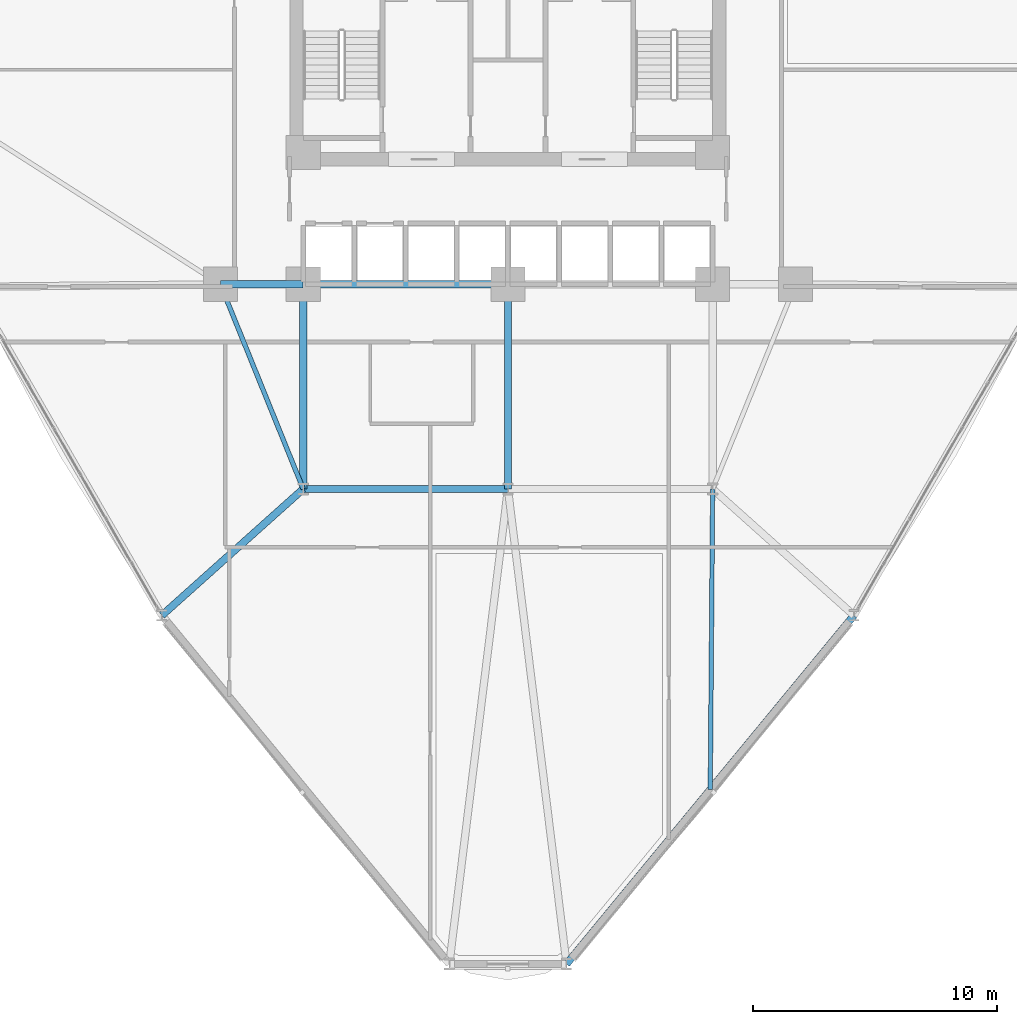
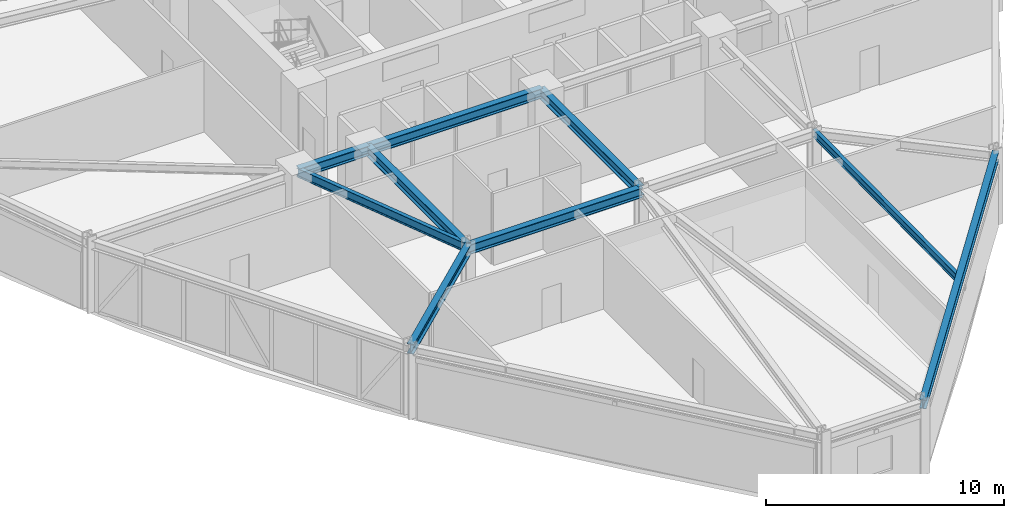
# One storey, part 5 of 22: 9 beams.
"""IFC4 building model written with IfcOpenShell, lengths in metres."""

from ifc_helpers import new_model, si_unit, derived_unit, direction, frame, origin, origin_2d, place, context, subcontext, project, spatial, i_section, extrude, source, transform, mapped, material, material_profile, profile_set, type_object, element, save


model = new_model("IFC4")

# Units and contexts
model_context = context("Model", 3, precision=1e-05, world=origin(), true_north=direction((0.0, 1.0)))
body_context = subcontext(model_context, "Body", "Model", "MODEL_VIEW")
ifc_project = project(units=[si_unit("LENGTHUNIT", "METRE"), si_unit("AREAUNIT", "SQUARE_METRE"), si_unit("VOLUMEUNIT", "CUBIC_METRE"), si_unit("PLANEANGLEUNIT", "RADIAN"), si_unit("MASSUNIT", "GRAM", prefix="KILO"), derived_unit("THERMALTRANSMITTANCEUNIT", [(si_unit("POWERUNIT", "WATT"), 1), (si_unit("LENGTHUNIT", "METRE"), -2), (si_unit("THERMODYNAMICTEMPERATUREUNIT", "KELVIN"), -1)])], contexts=[model_context])

# Site, building, storey
site_placement = place(None, origin())
site = spatial("IfcSite", under=ifc_project, at=site_placement, CompositionType="ELEMENT")
building_placement = place(site_placement, origin())
building = spatial("IfcBuilding", under=site, at=building_placement, Name="Korsvarv Bourse and Concert Hall", CompositionType="ELEMENT")
storey_placement = place(building_placement, frame((0.0, 0.0, 47.39990234375)))
storey = spatial("IfcBuildingStorey", under=building, at=storey_placement, Name="L11", CompositionType="ELEMENT", Elevation=47.39990234375)

# Beams
ifc_material = material(Name="Steel S355", Category="steel")
ifc_material_profile_1 = material_profile(ifc_material, i_section(OverallWidth=0.300048828125, OverallDepth=0.5, WebThickness=0.014404296875, FlangeThickness=0.028076171875, FilletRadius=0.02392578125, at=origin_2d()), Name="HEB 500")
ifc_profile_set_1 = profile_set([ifc_material_profile_1], Name="Steel S355")
beam_type_1 = type_object("IfcBeamType", Name="BM-HEB500", PredefinedType="BEAM", material=ifc_profile_set_1)
shared_shape_1 = source(origin(), body_context, "Body", "SweptSolid", [
    extrude(i_section(OverallWidth=0.300048828125, OverallDepth=0.5, WebThickness=0.014404296875, FlangeThickness=0.028076171875, FilletRadius=0.02392578125, at=origin_2d()), origin(), (0.0, 0.0, 1.0), 3.400146484375),
])
beam_1_placement = place(storey_placement, frame((24.199951171875, 32.39990234375, 3.43017578125), z_axis=(1.0, 0.0, 0.0), x_axis=(0.0, 1.0, 0.0)))
element("IfcBeam", 1, at=beam_1_placement, inside=storey, type_object=beam_type_1, Name="L11 beam B-07", PredefinedType="BEAM", context=body_context, shape_type="MappedRepresentation", body=[
    mapped(shared_shape_1, transform((0.0, 0.0, 0.0), scale=1.0)),
])
shared_shape_2 = source(origin(), body_context, "Body", "SweptSolid", [
    extrude(i_section(OverallWidth=0.300048828125, OverallDepth=0.5, WebThickness=0.014404296875, FlangeThickness=0.028076171875, FilletRadius=0.02392578125, at=origin_2d()), origin(), (0.0, 0.0, 1.0), 8.39990234375),
])
for number, where, z_axis, x_axis, name in (
    (2, (27.60009765625, 32.39990234375, 3.43017578125), (1.0, 0.0, 0.0), (0.0, 1.0, 0.0), "L11 beam B-07"),
    (3, (27.60009765625, 24.0, 3.43017578125), (1.0, 0.0, 0.0), (0.0, 1.0, 0.0), "L11 beam B-07"),
    (4, (27.60009765625, 24.0, 3.43017578125), (0.0, 1.0, 0.0), (-1.0, 0.0, 0.0), "L11 beam B-07"),
    (5, (36.0, 24.0, 3.43017578125), (0.0, 1.0, 0.0), (-1.0, 0.0, 0.0), "L11 beam B-07"),
):
    element("IfcBeam", number, at=place(storey_placement, frame(where, z_axis=z_axis, x_axis=x_axis)), inside=storey, type_object=beam_type_1, Name=name, PredefinedType="BEAM", context=body_context, shape_type="MappedRepresentation", body=[
        mapped(shared_shape_2, transform((0.0, 0.0, 0.0), scale=1.0)),
    ])
ifc_material_profile_2 = material_profile(ifc_material, i_section(OverallWidth=0.18994140625, OverallDepth=0.449951171875, WebThickness=0.009521484375, FlangeThickness=0.0146484375, FilletRadius=0.02099609375, at=origin_2d()), Name="IPE 450")
ifc_profile_set_2 = profile_set([ifc_material_profile_2], Name="Steel S355")
beam_type_2 = type_object("IfcBeamType", Name="BM-IPE450", PredefinedType="JOIST", material=ifc_profile_set_2)
shared_shape_3 = source(origin(), body_context, "Body", "SweptSolid", [
    extrude(i_section(OverallWidth=0.18994140625, OverallDepth=0.449951171875, WebThickness=0.009521484375, FlangeThickness=0.0146484375, FilletRadius=0.02099609375, at=origin_2d()), origin(), (0.0, 0.0, 1.0), 9.06201171875),
])
beam_2_placement = place(storey_placement, frame((24.199951171875, 32.39990234375, 3.455078125), z_axis=(0.375210394783, -0.926939674222, 0.0), x_axis=(0.926939674222, 0.375210394783, 0.0)))
element("IfcBeam", 6, at=beam_2_placement, inside=storey, type_object=beam_type_2, Name="L11 beam J-04", PredefinedType="JOIST", context=body_context, shape_type="MappedRepresentation", body=[
    mapped(shared_shape_3, transform((0.0, 0.0, 0.0), scale=1.0)),
])
ifc_material_profile_3 = material_profile(ifc_material, i_section(OverallWidth=0.300048828125, OverallDepth=0.449951171875, WebThickness=0.013916015625, FlangeThickness=0.02587890625, FilletRadius=0.02099609375, at=origin_2d()), Name="HEB 450")
ifc_profile_set_3 = profile_set([ifc_material_profile_3], Name="Steel S355")
beam_type_3 = type_object("IfcBeamType", Name="BM-HEB450", PredefinedType="SPANDREL", material=ifc_profile_set_3)
shared_shape_4 = source(origin(), body_context, "Body", "SweptSolid", [
    extrude(i_section(OverallWidth=0.300048828125, OverallDepth=0.449951171875, WebThickness=0.013916015625, FlangeThickness=0.02587890625, FilletRadius=0.02099609375, at=origin_2d()), origin(), (0.0, 0.0, 1.0), 18.5390625),
])
beam_3_placement = place(storey_placement, frame((38.4052734375, 4.509033203125, 3.455078125), z_axis=(0.636127669923, 0.771583817585, 0.0), x_axis=(-0.771583817585, 0.636127669923, 0.0)))
element("IfcBeam", 7, at=beam_3_placement, inside=storey, type_object=beam_type_3, Name="L11 beam B-08", PredefinedType="SPANDREL", context=body_context, shape_type="MappedRepresentation", body=[
    mapped(shared_shape_4, transform((0.0, 0.0, 0.0), scale=1.0)),
])
shared_shape_5 = source(origin(), body_context, "Body", "SweptSolid", [
    extrude(i_section(OverallWidth=0.300048828125, OverallDepth=0.5, WebThickness=0.014404296875, FlangeThickness=0.028076171875, FilletRadius=0.02392578125, at=origin_2d()), origin(), (0.0, 0.0, 1.0), 7.77978515625),
])
beam_4_placement = place(storey_placement, frame((21.801513671875, 18.8134765625, 3.43017578125), z_axis=(0.745348822667, 0.666674682697, 0.0), x_axis=(-0.666674682697, 0.745348822667, 0.0)))
element("IfcBeam", 8, at=beam_4_placement, inside=storey, type_object=beam_type_1, Name="L11 beam B-07", PredefinedType="BEAM", context=body_context, shape_type="MappedRepresentation", body=[
    mapped(shared_shape_5, transform((0.0, 0.0, 0.0), scale=1.0)),
])
ifc_material_profile_4 = material_profile(ifc_material, i_section(OverallWidth=0.179931640625, OverallDepth=0.39990234375, WebThickness=0.008544921875, FlangeThickness=0.013427734375, FilletRadius=0.02099609375, at=origin_2d()), Name="IPE 400")
ifc_profile_set_4 = profile_set([ifc_material_profile_4], Name="Steel S355")
beam_type_4 = type_object("IfcBeamType", Name="BM-IPE400", PredefinedType="JOIST", material=ifc_profile_set_4)
shared_shape_6 = source(origin(), body_context, "Body", "SweptSolid", [
    extrude(i_section(OverallWidth=0.179931640625, OverallDepth=0.39990234375, WebThickness=0.008544921875, FlangeThickness=0.013427734375, FilletRadius=0.02099609375, at=origin_2d()), origin(), (0.0, 0.0, 1.0), 12.339111328125),
])
beam_5_placement = place(storey_placement, frame((44.302001953125, 11.661376953125, 3.47998046875), z_axis=(0.007934216703, 0.999968523607, 0.0), x_axis=(-0.999968523607, 0.007934216703, 0.0)))
element("IfcBeam", 9, at=beam_5_placement, inside=storey, type_object=beam_type_4, Name="L11 beam J-05", PredefinedType="JOIST", context=body_context, shape_type="MappedRepresentation", body=[
    mapped(shared_shape_6, transform((0.0, 0.0, 0.0), scale=1.0)),
])

save(model, "model.ifc")
